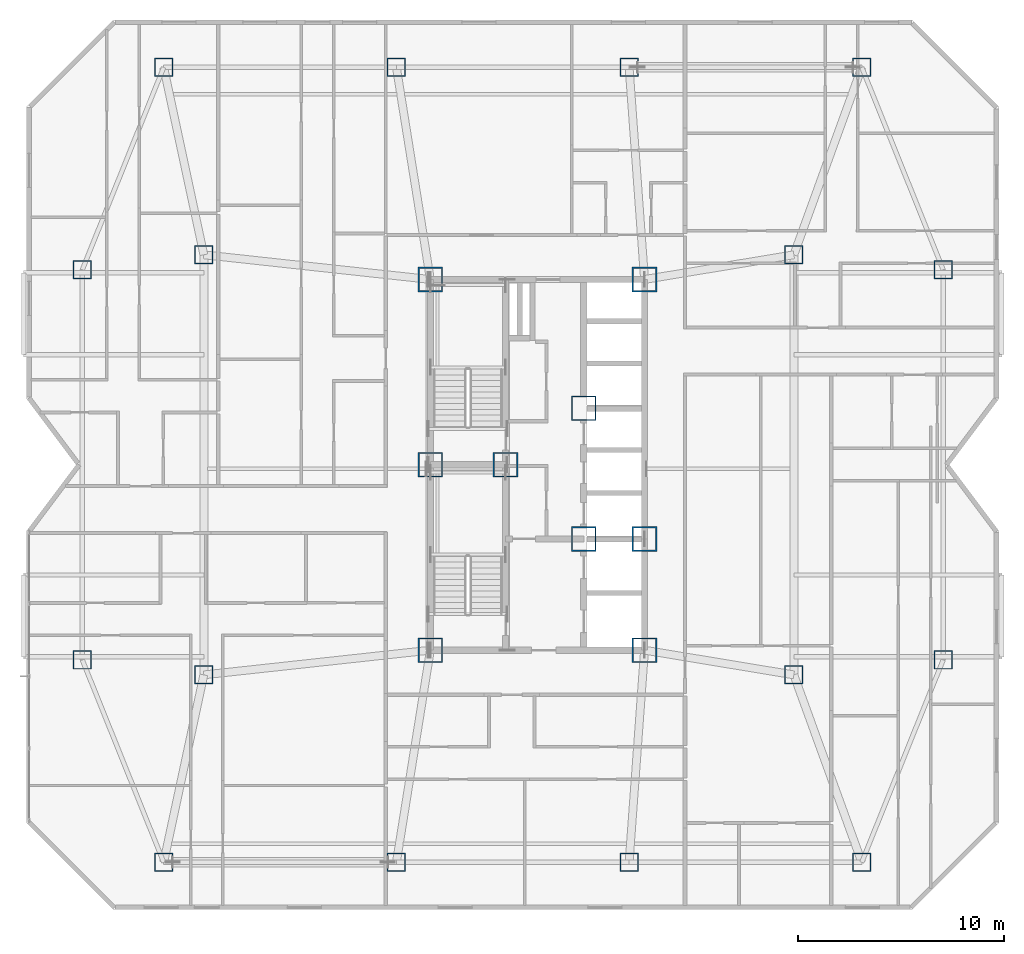
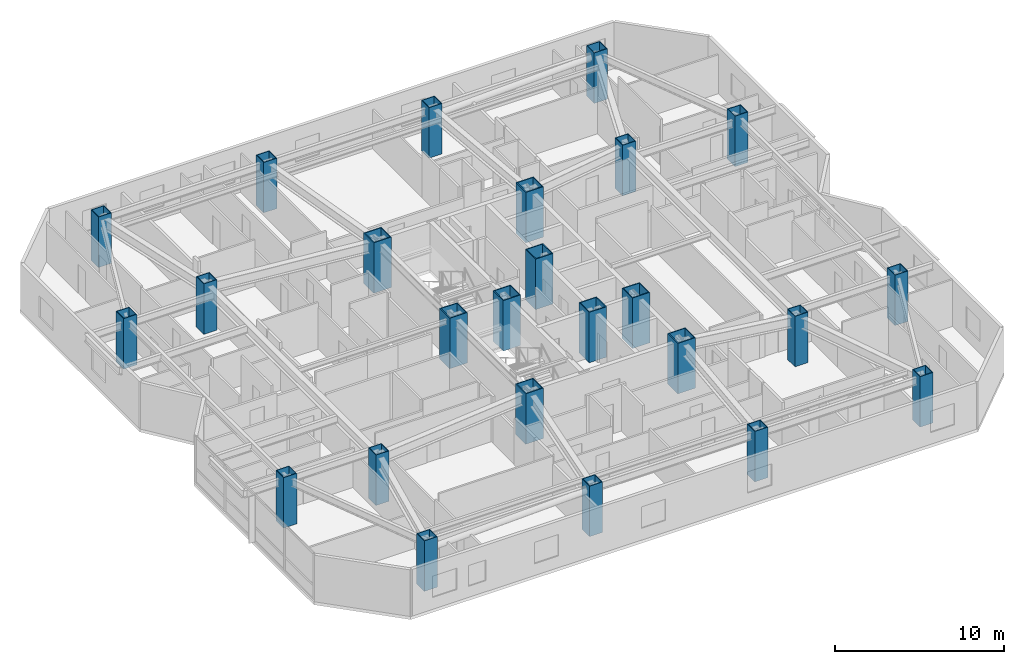
# One storey, part 1 of 17: 25 columns.
"""IFC4 building model written with IfcOpenShell, lengths in metres."""

from ifc_helpers import new_model, si_unit, direction, frame, origin, origin_2d, place, context, subcontext, project, spatial, hollow_rectangle, extrude, material, material_profile, profile_set, type_object, element, save


model = new_model("IFC4")

# Units and contexts
model_context = context("Model", 3, precision=1e-05, world=origin(), true_north=direction((0.0, 1.0)))
body_context = subcontext(model_context, "Body", "Model", "MODEL_VIEW")
ifc_project = project(units=[si_unit("LENGTHUNIT", "METRE"), si_unit("AREAUNIT", "SQUARE_METRE"), si_unit("VOLUMEUNIT", "CUBIC_METRE"), si_unit("PLANEANGLEUNIT", "RADIAN"), si_unit("MASSUNIT", "GRAM", prefix="KILO")], contexts=[model_context])

# Site, building, storey
site_placement = place(None, origin())
site = spatial("IfcSite", under=ifc_project, at=site_placement, CompositionType="ELEMENT")
building_placement = place(site_placement, origin())
building = spatial("IfcBuilding", under=site, at=building_placement, Name="Khamvora Tower", CompositionType="ELEMENT")
storey_placement = place(building_placement, frame((0.0, 0.0, 142.050048828125)))
storey = spatial("IfcBuildingStorey", under=building, at=storey_placement, Name="L36", CompositionType="ELEMENT", Elevation=142.050048828125)

# Columns
ifc_material_1 = material(Name="Steel S460", Category="steel")
ifc_material_profile_1 = material_profile(ifc_material_1, hollow_rectangle(XDim=1.199951171875, YDim=1.199951171875, WallThickness=0.06005859375, at=origin_2d()), Name="BOX1200x1200x60")
ifc_profile_set_1 = profile_set([ifc_material_profile_1], Name="Steel S460")
column_type_1 = type_object("IfcColumnType", Name="COL-BOX1200", PredefinedType="COLUMN", material=ifc_profile_set_1)
for number, where, z_axis, x_axis, name in (
    (1, (29.0, 19.0, 0.0), (0.0, 0.0, 1.0), (1.0, 0.0, 0.0), "L36 plumb core spine column SC1"),
    (2, (32.64990234375, 28.0, 0.0), (0.0, 0.0, 1.0), (1.0, 0.0, 0.0), "L36 plumb core spine column SC2"),
    (3, (39.39990234375, 19.0, 0.0), (0.0, 0.0, 1.0), (1.0, 0.0, 0.0), "L36 plumb core spine column SC3"),
    (4, (29.0, 28.0, 0.0), (0.0, 0.0, 1.0), (1.0, 0.0, 0.0), "L36 plumb core spine column SC4"),
    (5, (36.449951171875, 24.39990234375, 0.0), (0.0, 0.0, 1.0), (1.0, 0.0, 0.0), "L36 plumb core spine column SC5"),
    (6, (39.39990234375, 24.39990234375, 0.0), (0.0, 0.0, 1.0), (1.0, 0.0, 0.0), "L36 plumb core spine column SC6"),
    (7, (29.0, 37.0, 0.0), (0.0, 0.0, 1.0), (1.0, 0.0, 0.0), "L36 plumb core spine column SC7"),
    (8, (36.449951171875, 30.75, 0.0), (0.0, 0.0, 1.0), (1.0, 0.0, 0.0), "L36 plumb core spine column SC8"),
    (9, (39.39990234375, 37.0, 0.0), (0.0, 0.0, 1.0), (1.0, 0.0, 0.0), "L36 plumb core spine column SC9"),
):
    element("IfcColumn", number, at=place(storey_placement, frame(where, z_axis=z_axis, x_axis=x_axis)), inside=storey, type_object=column_type_1, Name=name, PredefinedType="COLUMN", context=body_context, shape_type="SweptSolid", body=[
        extrude(hollow_rectangle(XDim=1.199951171875, YDim=1.199951171875, WallThickness=0.06005859375, at=origin_2d()), origin(), (0.0, 0.0, 1.0), 3.64990234375),
    ])
ifc_material_2 = material(Name="Steel S355", Category="steel")
ifc_material_profile_2 = material_profile(ifc_material_2, hollow_rectangle(XDim=0.89990234375, YDim=0.89990234375, WallThickness=0.044921875, at=origin_2d()), Name="BOX900x900x45")
ifc_profile_set_2 = profile_set([ifc_material_profile_2], Name="Steel S355")
column_type_2 = type_object("IfcColumnType", Name="COL-BOX900", PredefinedType="COLUMN", material=ifc_profile_set_2)
for number, where, z_axis, x_axis, name in (
    (10, (16.050048828125, 8.699951171875, 0.0), (0.0, 0.0, 1.0), (1.0, 0.0, 0.0), "L36 structural frame column S1"),
    (11, (27.35009765625, 8.699951171875, 0.0), (0.0, 0.0, 1.0), (1.0, 0.0, 0.0), "L36 structural frame column S2"),
    (12, (38.64990234375, 8.699951171875, 0.0), (0.0, 0.0, 1.0), (1.0, 0.0, 0.0), "L36 structural frame column S3"),
    (13, (49.949951171875, 8.699951171875, 0.0), (0.0, 0.0, 1.0), (1.0, 0.0, 0.0), "L36 structural frame column S4"),
    (14, (16.050048828125, 47.300048828125, 0.0), (0.0, 0.0, 1.0), (1.0, 0.0, 0.0), "L36 structural frame column N1"),
    (15, (27.35009765625, 47.300048828125, 0.0), (0.0, 0.0, 1.0), (1.0, 0.0, 0.0), "L36 structural frame column N2"),
    (16, (38.64990234375, 47.300048828125, 0.0), (0.0, 0.0, 1.0), (1.0, 0.0, 0.0), "L36 structural frame column N3"),
    (17, (49.949951171875, 47.300048828125, 0.0), (0.0, 0.0, 1.0), (1.0, 0.0, 0.0), "L36 structural frame column N4"),
    (18, (12.10009765625, 18.52490234375, 0.0), (0.0, 0.0, 1.0), (1.0, 0.0, 0.0), "L36 structural frame column W1"),
    (19, (12.10009765625, 37.47509765625, 0.0), (0.0, 0.0, 1.0), (1.0, 0.0, 0.0), "L36 structural frame column W2"),
    (20, (53.89990234375, 18.52490234375, 0.0), (0.0, 0.0, 1.0), (1.0, 0.0, 0.0), "L36 structural frame column E1"),
    (21, (53.89990234375, 37.47509765625, 0.0), (0.0, 0.0, 1.0), (1.0, 0.0, 0.0), "L36 structural frame column E2"),
    (22, (18.0, 17.800048828125, 0.0), (0.0, 0.0, 1.0), (1.0, 0.0, 0.0), "L36 structural frame column MW1"),
    (23, (18.0, 38.199951171875, 0.0), (0.0, 0.0, 1.0), (1.0, 0.0, 0.0), "L36 structural frame column MW2"),
    (24, (46.64990234375, 17.800048828125, 0.0), (0.0, 0.0, 1.0), (1.0, 0.0, 0.0), "L36 structural frame column M1"),
    (25, (46.64990234375, 38.199951171875, 0.0), (0.0, 0.0, 1.0), (1.0, 0.0, 0.0), "L36 structural frame column M2"),
):
    element("IfcColumn", number, at=place(storey_placement, frame(where, z_axis=z_axis, x_axis=x_axis)), inside=storey, type_object=column_type_2, Name=name, PredefinedType="COLUMN", context=body_context, shape_type="SweptSolid", body=[
        extrude(hollow_rectangle(XDim=0.89990234375, YDim=0.89990234375, WallThickness=0.044921875, at=origin_2d()), origin(), (0.0, 0.0, 1.0), 3.64990234375),
    ])

save(model, "model.ifc")
